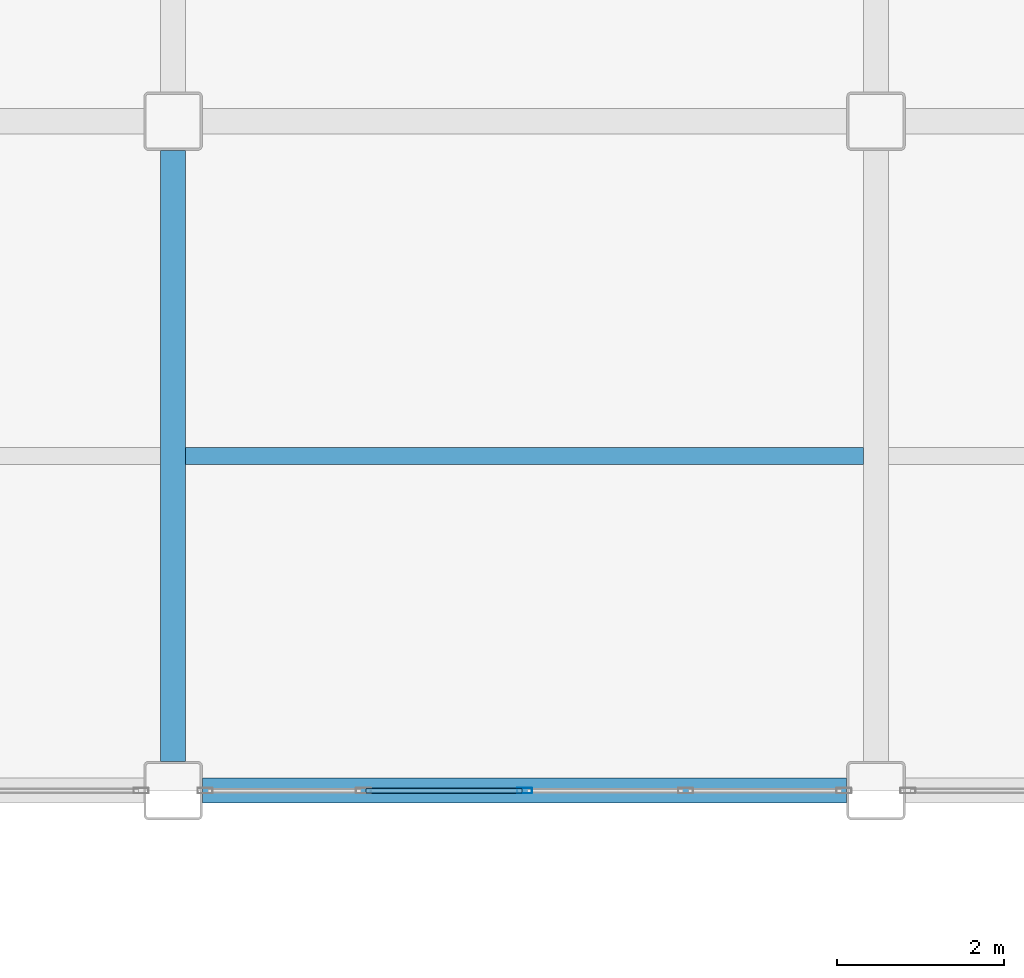
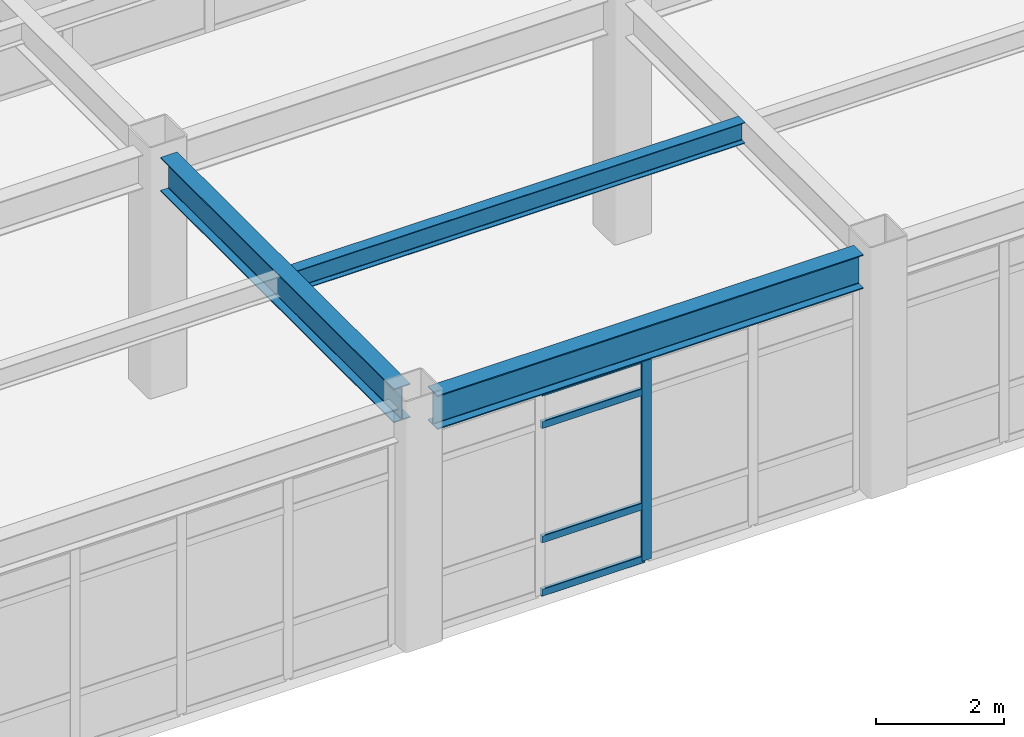
# One storey, part 48 of 154: 5 members, 3 beams, 1 element without a shape of its own.
"""IFC4 building model written with IfcOpenShell, lengths in metres."""

from ifc_helpers import new_model, si_unit, direction, frame, origin, origin_2d, place, context, subcontext, project, spatial, hollow_rectangle, i_section, extrude, material, layer, layer_set, material_profile, profile_set, type_object, element, aggregate, save


model = new_model("IFC4")

# Units and contexts
model_context = context("Model", 3, precision=1e-05, world=origin(), true_north=direction((0.0, 1.0)))
body_context = subcontext(model_context, "Body", "Model", "MODEL_VIEW")
ifc_project = project(units=[si_unit("LENGTHUNIT", "METRE"), si_unit("AREAUNIT", "SQUARE_METRE"), si_unit("VOLUMEUNIT", "CUBIC_METRE"), si_unit("PLANEANGLEUNIT", "RADIAN"), si_unit("MASSUNIT", "GRAM", prefix="KILO")], contexts=[model_context])

# Site, building, storey
site_placement = place(None, origin())
site = spatial("IfcSite", under=ifc_project, at=site_placement, CompositionType="ELEMENT")
building_placement = place(site_placement, origin())
building = spatial("IfcBuilding", under=site, at=building_placement, Name="Kazehara Bluff Congress Hotel", CompositionType="ELEMENT")
storey_placement = place(building_placement, frame((0.0, 0.0, 10.199951171875)))
storey = spatial("IfcBuildingStorey", under=building, at=storey_placement, Name="L02", CompositionType="ELEMENT", Elevation=10.199951171875)

# Curtain wall, members
ifc_material_1 = material(Name="Anodised aluminium", Category="aluminium")
ifc_layer = layer(ifc_material_1, 0.159912109375)
ifc_layer_set = layer_set([ifc_layer], Name="Anodised aluminium")
curtain_wall_type = type_object("IfcCurtainWallType", Name="TP-CW-79", PredefinedType="NOTDEFINED", material=ifc_layer_set)
curtain_wall_placement = place(storey_placement, origin())
curtain_wall = element("IfcCurtainWall", 1, at=curtain_wall_placement, inside=storey, type_object=curtain_wall_type, Name="L02 curtain wall CW-79 CW-V5-L02-Y1600-12725", PredefinedType="NOTDEFINED")
ifc_material_2 = material(Name="Anodised aluminium", Category="aluminium")
ifc_material_profile_1 = material_profile(ifc_material_2, hollow_rectangle(XDim=0.06494140625, YDim=0.179931640625, WallThickness=0.00390625, InnerFilletRadius=0.00390625, OuterFilletRadius=0.008056640625, at=origin_2d()))
ifc_profile_set_1 = profile_set([ifc_material_profile_1], Name="Anodised aluminium")
member_type_1 = type_object("IfcMemberType", Name="TP-CWM-02", PredefinedType="MULLION", material=ifc_profile_set_1)
member_1_placement = place(storey_placement, frame((131.10009765625, 16.0, 0.0), z_axis=(0.0, 0.0, 1.0), x_axis=(0.0, 1.0, 0.0)))
member_1 = element("IfcMember", 2, at=member_1_placement, type_object=member_type_1, Name="CW-79 mullion 3", PredefinedType="MULLION", context=body_context, shape_type="SweptSolid", body=[
    extrude(hollow_rectangle(XDim=0.06494140625, YDim=0.179931640625, WallThickness=0.00390625, InnerFilletRadius=0.00390625, OuterFilletRadius=0.008056640625, at=origin_2d()), origin(), (0.0, 0.0, 1.0), 3.885009765625),
])
ifc_material_3 = material(Name="Anodised aluminium", Category="aluminium")
ifc_material_profile_2 = material_profile(ifc_material_3, hollow_rectangle(XDim=0.06494140625, YDim=0.139892578125, WallThickness=0.00390625, InnerFilletRadius=0.00390625, OuterFilletRadius=0.008056640625, at=origin_2d()))
ifc_profile_set_2 = profile_set([ifc_material_profile_2], Name="Anodised aluminium")
member_type_2 = type_object("IfcMemberType", Name="TP-CWT-02", PredefinedType="USERDEFINED", material=ifc_profile_set_2)
member_2_placement = place(storey_placement, frame((129.20751953125, 16.0, 0.032470703125), z_axis=(1.0, 0.0, 0.0), x_axis=(0.0, 1.0, 0.0)))
member_2 = element("IfcMember", 3, at=member_2_placement, type_object=member_type_2, Name="CW-79 transom 2.1", ObjectType="TRANSOM", PredefinedType="USERDEFINED", context=body_context, shape_type="SweptSolid", body=[
    extrude(hollow_rectangle(XDim=0.06494140625, YDim=0.139892578125, WallThickness=0.00390625, InnerFilletRadius=0.00390625, OuterFilletRadius=0.008056640625, at=origin_2d()), origin(), (0.0, 0.0, 1.0), 1.85986328125),
])
member_3_placement = place(storey_placement, frame((129.20751953125, 16.0, 1.050048828125), z_axis=(1.0, 0.0, 0.0), x_axis=(0.0, 1.0, 0.0)))
member_3 = element("IfcMember", 4, at=member_3_placement, type_object=member_type_2, Name="CW-79 transom 2.2", ObjectType="TRANSOM", PredefinedType="USERDEFINED", context=body_context, shape_type="SweptSolid", body=[
    extrude(hollow_rectangle(XDim=0.06494140625, YDim=0.139892578125, WallThickness=0.00390625, InnerFilletRadius=0.00390625, OuterFilletRadius=0.008056640625, at=origin_2d()), origin(), (0.0, 0.0, 1.0), 1.85986328125),
])
member_4_placement = place(storey_placement, frame((129.20751953125, 16.0, 3.235107421875), z_axis=(1.0, 0.0, 0.0), x_axis=(0.0, 1.0, 0.0)))
member_4 = element("IfcMember", 5, at=member_4_placement, type_object=member_type_2, Name="CW-79 transom 2.3", ObjectType="TRANSOM", PredefinedType="USERDEFINED", context=body_context, shape_type="SweptSolid", body=[
    extrude(hollow_rectangle(XDim=0.06494140625, YDim=0.139892578125, WallThickness=0.00390625, InnerFilletRadius=0.00390625, OuterFilletRadius=0.008056640625, at=origin_2d()), origin(), (0.0, 0.0, 1.0), 1.85986328125),
])
member_5_placement = place(storey_placement, frame((129.20751953125, 16.0, 3.8525390625), z_axis=(1.0, 0.0, 0.0), x_axis=(0.0, 1.0, 0.0)))
member_5 = element("IfcMember", 6, at=member_5_placement, type_object=member_type_2, Name="CW-79 transom 2.4", ObjectType="TRANSOM", PredefinedType="USERDEFINED", context=body_context, shape_type="SweptSolid", body=[
    extrude(hollow_rectangle(XDim=0.06494140625, YDim=0.139892578125, WallThickness=0.00390625, InnerFilletRadius=0.00390625, OuterFilletRadius=0.008056640625, at=origin_2d()), origin(), (0.0, 0.0, 1.0), 1.85986328125),
])
aggregate(curtain_wall, [member_1, member_2, member_3, member_4, member_5])

# Beams
ifc_material_4 = material(Name="Steel SN490B", Category="steel")
ifc_material_profile_3 = material_profile(ifc_material_4, i_section(OverallWidth=0.300048828125, OverallDepth=0.64990234375, WebThickness=0.011962890625, FlangeThickness=0.02001953125, FilletRadius=0.012939453125, at=origin_2d()))
ifc_profile_set_3 = profile_set([ifc_material_profile_3], Name="Steel SN490B")
beam_type_1 = type_object("IfcBeamType", Name="TP-G-03", PredefinedType="BEAM", material=ifc_profile_set_3)
beam_1_placement = place(storey_placement, frame((126.89990234375, 16.35009765625, 4.235107421875), z_axis=(0.0, 1.0, 0.0), x_axis=(-1.0, 0.0, 0.0)))
element("IfcBeam", 7, at=beam_1_placement, inside=storey, type_object=beam_type_1, Name="L02 girder G-03 134", PredefinedType="BEAM", context=body_context, shape_type="SweptSolid", body=[
    extrude(i_section(OverallWidth=0.300048828125, OverallDepth=0.64990234375, WebThickness=0.011962890625, FlangeThickness=0.02001953125, FilletRadius=0.012939453125, at=origin_2d()), origin(), (0.0, 0.0, 1.0), 7.2998046875),
])
beam_2_placement = place(storey_placement, frame((127.25, 16.0, 4.235107421875), z_axis=(1.0, 0.0, 0.0), x_axis=(0.0, 1.0, 0.0)))
element("IfcBeam", 8, at=beam_2_placement, inside=storey, type_object=beam_type_1, Name="L02 girder G-03 188", PredefinedType="BEAM", context=body_context, shape_type="SweptSolid", body=[
    extrude(i_section(OverallWidth=0.300048828125, OverallDepth=0.64990234375, WebThickness=0.011962890625, FlangeThickness=0.02001953125, FilletRadius=0.012939453125, at=origin_2d()), origin(), (0.0, 0.0, 1.0), 7.699951171875),
])
ifc_material_5 = material(Name="Steel SN400B", Category="steel")
ifc_material_profile_4 = material_profile(ifc_material_5, i_section(OverallWidth=0.199951171875, OverallDepth=0.39990234375, WebThickness=0.008056640625, FlangeThickness=0.012939453125, FilletRadius=0.012939453125, at=origin_2d()))
ifc_profile_set_4 = profile_set([ifc_material_profile_4], Name="Steel SN400B")
beam_type_2 = type_object("IfcBeamType", Name="TP-J-03", PredefinedType="JOIST", material=ifc_profile_set_4)
beam_3_placement = place(storey_placement, frame((127.050048828125, 20.0, 4.360107421875), z_axis=(1.0, 0.0, 0.0), x_axis=(0.0, 1.0, 0.0)))
element("IfcBeam", 9, at=beam_3_placement, inside=storey, type_object=beam_type_2, Name="L02 secondary joist J-03 31", PredefinedType="JOIST", context=body_context, shape_type="SweptSolid", body=[
    extrude(i_section(OverallWidth=0.199951171875, OverallDepth=0.39990234375, WebThickness=0.008056640625, FlangeThickness=0.012939453125, FilletRadius=0.012939453125, at=origin_2d()), origin(), (0.0, 0.0, 1.0), 8.099853515625),
])

save(model, "model.ifc")
